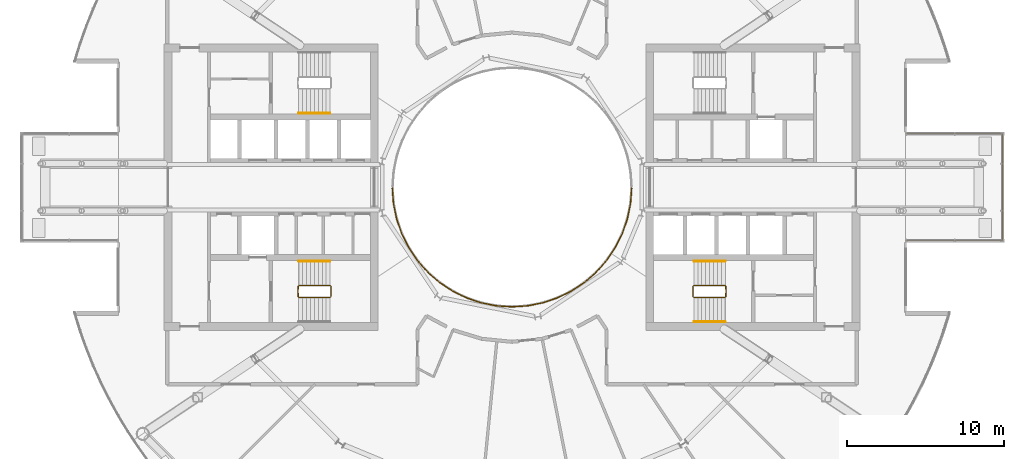
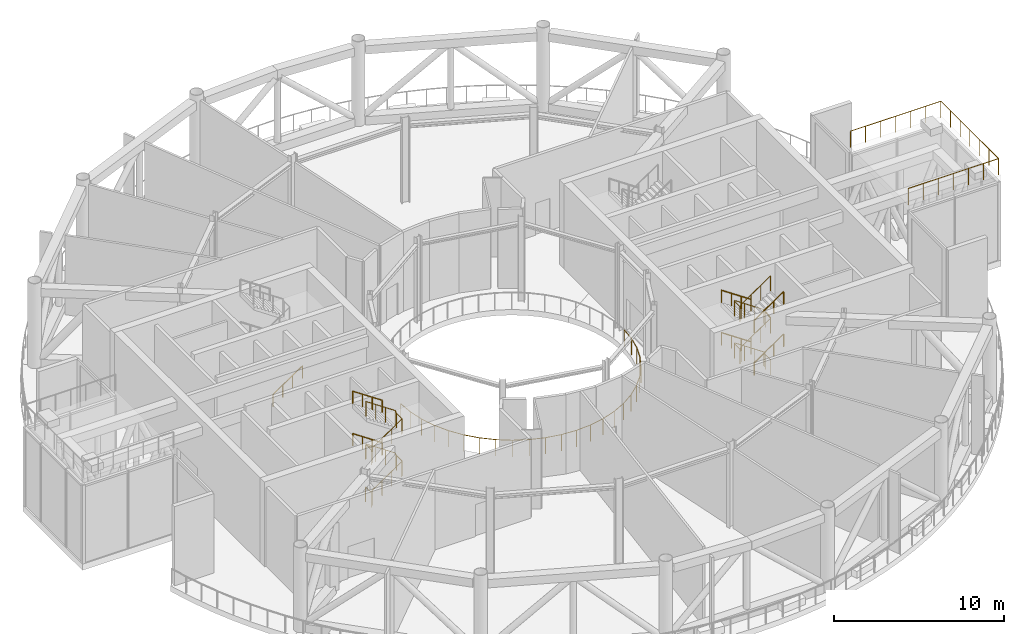
# One storey, part 21 of 24: 11 railings.
"""IFC4 building model written with IfcOpenShell, lengths in metres."""

import ifcopenshell
import ifcopenshell.guid

model = None  # the IFC model being written
_history = None  # IfcOwnerHistory: only IFC2X3 demands one
_inside = {}  # id of a spatial element -> (the spatial element, [elements in it])
_under = {}  # id of a project, library or spatial element -> (it, [spatial elements below it])
_declared = {}  # id of a project -> (the project, [libraries it declares])
_typed = {}  # id of a type object -> (the type object, [elements of that type])
_made_of = {}  # id of a material, layer set ... -> (it, [elements and type objects made of it])


def new_model(schema):
    """Start an empty IFC model of exactly this schema.

    Asked for "IFC4X3", IfcOpenShell would pick the latest addendum, in which some entities
    have other attributes; the version numbers below select the first issue.
    IFC2X3 requires an IfcOwnerHistory on every rooted entity: one is made here for all.
    """
    global model, _history
    if schema == "IFC4X3":
        model = ifcopenshell.file(schema_version=(4, 3, 0, 0))
    else:
        model = ifcopenshell.file(schema=schema)
    _inside.clear()
    _under.clear()
    _declared.clear()
    _typed.clear()
    _made_of.clear()
    _history = None
    if model.schema == "IFC2X3":
        org = make("IfcOrganization", Name="unknown")
        user = make(
            "IfcPersonAndOrganization",
            ThePerson=make("IfcPerson", FamilyName="unknown"),
            TheOrganization=org,
        )
        app = make(
            "IfcApplication",
            ApplicationDeveloper=org,
            Version="unknown",
            ApplicationFullName="unknown",
            ApplicationIdentifier="unknown",
        )
        _history = make(
            "IfcOwnerHistory",
            OwningUser=user,
            OwningApplication=app,
            ChangeAction="ADDED",
            CreationDate=0,
        )
    return model


def make(cls, **values):
    """One entity of the class cls with the attributes given. An attribute that is None is left unset."""
    return model.create_entity(
        cls, **{name: value for name, value in values.items() if value is not None}
    )


def rooted(cls, **values):
    """An entity with a GlobalId (a new one), such as an element, a storey or a relation."""
    return make(cls, GlobalId=ifcopenshell.guid.new(), OwnerHistory=_history, **values)


def si_unit(unit_type, name, prefix=None):
    """IfcSIUnit, for example si_unit("LENGTHUNIT", "METRE", prefix="MILLI")."""
    return make("IfcSIUnit", UnitType=unit_type, Prefix=prefix, Name=name)


def assignment(units):
    """IfcUnitAssignment: the units of a project."""
    return None if units is None else make("IfcUnitAssignment", Units=units)


def point(xyz):
    """IfcCartesianPoint."""
    return None if xyz is None else make("IfcCartesianPoint", Coordinates=xyz)


def direction(xyz):
    """IfcDirection."""
    return None if xyz is None else make("IfcDirection", DirectionRatios=xyz)


def frame(location, z_axis=None, x_axis=None):
    """IfcAxis2Placement3D, a coordinate frame: its origin and axes. An axis left out is left unset."""
    return make(
        "IfcAxis2Placement3D",
        Location=point(location),
        Axis=direction(z_axis),
        RefDirection=direction(x_axis),
    )


def frame_2d(location, x_axis=None):
    """IfcAxis2Placement2D, a coordinate frame in the plane: its origin and x axis."""
    return make(
        "IfcAxis2Placement2D", Location=point(location), RefDirection=direction(x_axis)
    )


def origin():
    """The frame at (0, 0, 0) with its axes left unset."""
    return frame((0.0, 0.0, 0.0))


def origin_2d():
    """The frame at (0, 0) in the plane with its x axis left unset."""
    return frame_2d((0.0, 0.0))


def place(relative_to, where):
    """IfcLocalPlacement: puts the frame where relative to a parent placement (None: the world)."""
    return make(
        "IfcLocalPlacement", PlacementRelTo=relative_to, RelativePlacement=where
    )


def context(
    kind, dimensions, precision=None, world=None, true_north=None, identifier=None
):
    """IfcGeometricRepresentationContext, for example the 3D "Model" context."""
    return make(
        "IfcGeometricRepresentationContext",
        ContextIdentifier=identifier,
        ContextType=kind,
        CoordinateSpaceDimension=dimensions,
        Precision=precision,
        WorldCoordinateSystem=world,
        TrueNorth=true_north,
    )


def subcontext(parent, identifier, kind, view, scale=None):
    """IfcGeometricRepresentationSubContext, for example "Body" below "Model"."""
    return make(
        "IfcGeometricRepresentationSubContext",
        ContextIdentifier=identifier,
        ContextType=kind,
        ParentContext=parent,
        TargetScale=scale,
        TargetView=view,
    )


def project(units=None, contexts=None):
    """IfcProject with its units and contexts."""
    return rooted(
        "IfcProject",
        Name="project",
        RepresentationContexts=contexts,
        UnitsInContext=assignment(units),
    )


def spatial(cls, under=None, at=None, **own):
    """A site, building, storey or space (cls), placed at a placement, below another one or the project."""
    s = rooted(cls, ObjectPlacement=at, **own)
    if under is not None:
        _under.setdefault(under.id(), (under, []))[1].append(s)
    return s


def profile(cls, at=None, kind="AREA", **sizes):
    """A parametric profile (cls). Its sizes go by their IFC names, for example OverallWidth=200.0."""
    return make(cls, ProfileType=kind, Position=at, **sizes)


def circle(**sizes):
    """IfcCircleProfileDef."""
    return profile("IfcCircleProfileDef", **sizes)


def extrude(swept, where, along, depth):
    """IfcExtrudedAreaSolid: the profile swept, set in the frame where, extruded along a direction by depth."""
    return make(
        "IfcExtrudedAreaSolid",
        SweptArea=swept,
        Position=where,
        ExtrudedDirection=direction(along),
        Depth=depth,
    )


def shape(context_of_items, identifier, shape_type, items):
    """IfcShapeRepresentation: the items that make up one representation, for example the "Body"."""
    return make(
        "IfcShapeRepresentation",
        ContextOfItems=context_of_items,
        RepresentationIdentifier=identifier,
        RepresentationType=shape_type,
        Items=items,
    )


def material(Name=None, Category=None):
    """IfcMaterial."""
    return make("IfcMaterial", Name=Name, Category=Category)


def made_of(thing, what):
    """Note that an element or type object is made of a material, layer set ...; save() writes the relation."""
    if what is not None:
        _made_of.setdefault(what.id(), (what, []))[1].append(thing)
    return thing


def type_object(cls, material=None, **own):
    """A type object (cls), such as IfcWallType, which elements share."""
    return made_of(rooted(cls, **own), material)


def element(
    cls,
    number,
    at=None,
    inside=None,
    cuts=None,
    type_object=None,
    material=None,
    context=None,
    identifier="Body",
    shape_type=None,
    held_by="IfcProductDefinitionShape",
    body=None,
    shapes=None,
    **own,
):
    """One element of the class cls, such as IfcWall. Its Tag is "e" and its number.

    at: its placement. inside: the storey or other place that contains it. cuts: it is an
    opening in that element (IfcRelVoidsElement). A single representation is given by context,
    identifier, shape_type and body (its items); several are given by shapes. held_by: the class
    of the entity that holds the representations. save() writes the other relations.
    """
    e = rooted(cls, Tag="e%d" % number, ObjectPlacement=at, **own)
    if body is not None:
        shapes = [shape(context, identifier, shape_type, body)]
    if shapes is not None:
        e.Representation = make(held_by, Representations=shapes)
    if inside is not None:
        _inside.setdefault(inside.id(), (inside, []))[1].append(e)
    if cuts is not None:
        rooted(
            "IfcRelVoidsElement", RelatingBuildingElement=cuts, RelatedOpeningElement=e
        )
    if type_object is not None:
        _typed.setdefault(type_object.id(), (type_object, []))[1].append(e)
    return made_of(e, material)


def aggregate(whole, parts):
    """IfcRelAggregates: a whole, such as a stair, and the parts it consists of."""
    return rooted("IfcRelAggregates", RelatingObject=whole, RelatedObjects=parts)


def save(model, path):
    """Write the relations noted so far, then the file.

    IfcRelAggregates (storeys below a building ...), IfcRelContainedInSpatialStructure (elements
    in a storey), IfcRelDefinesByType, IfcRelAssociatesMaterial and IfcRelDeclares: one each for
    every whole, place, type object, material and project.
    """
    for whole, parts in _under.values():
        aggregate(whole, parts)
    for where, things in _inside.values():
        rooted(
            "IfcRelContainedInSpatialStructure",
            RelatedElements=things,
            RelatingStructure=where,
        )
    for kind, things in _typed.values():
        rooted("IfcRelDefinesByType", RelatedObjects=things, RelatingType=kind)
    for what, things in _made_of.values():
        rooted("IfcRelAssociatesMaterial", RelatedObjects=things, RelatingMaterial=what)
    for by, libraries in _declared.values():
        rooted("IfcRelDeclares", RelatingContext=by, RelatedDefinitions=libraries)
    model.write(path)


model = new_model("IFC4")

# Units and contexts
model_context = context("Model", 3, precision=1e-05, world=origin(), true_north=direction((0.0, 1.0)))
body_context = subcontext(model_context, "Body", "Model", "MODEL_VIEW")
ifc_project = project(units=[si_unit("LENGTHUNIT", "METRE"), si_unit("AREAUNIT", "SQUARE_METRE"), si_unit("VOLUMEUNIT", "CUBIC_METRE"), si_unit("PLANEANGLEUNIT", "RADIAN"), si_unit("MASSUNIT", "GRAM", prefix="KILO")], contexts=[model_context])

# Site, building, storey
site_placement = place(None, origin())
site = spatial("IfcSite", under=ifc_project, at=site_placement, CompositionType="ELEMENT")
building_placement = place(site_placement, origin())
building = spatial("IfcBuilding", under=site, at=building_placement, Name="Maasbend Ring Residences", CompositionType="ELEMENT")
storey_placement = place(building_placement, frame((0.0, 0.0, 179.89990234375)))
storey = spatial("IfcBuildingStorey", under=building, at=storey_placement, Name="L52", CompositionType="ELEMENT", Elevation=179.89990234375)

# Railings
ifc_material_1 = material(Name="Stainless steel 316 and glass", Category="steel")
railing_type_1 = type_object("IfcRailingType", Name="RL-GUARD", PredefinedType="GUARDRAIL", material=ifc_material_1)
railing_1_placement = place(storey_placement, frame((-7.599609375, -0.06640625, 0.0)))
element("IfcRailing", 1, at=railing_1_placement, inside=storey, type_object=railing_type_1, Name="Garden guard well 2", PredefinedType="GUARDRAIL", context=body_context, shape_type="SweptSolid", body=[
    extrude(circle(Radius=0.02490234375, at=origin_2d()), frame((0.0, 0.0, 1.1748046875), z_axis=(0.073598762792, -0.997287933405, 0.0), x_axis=(0.997287933405, 0.073598762792, 0.0)), (0.0, 0.0, 1.0), 0.988525390625),
    extrude(circle(Radius=0.02490234375, at=origin_2d()), frame((0.07275390625, -0.98583984375, 1.1748046875), z_axis=(0.202760766137, -0.979228304184, 0.0), x_axis=(0.979228304184, 0.202760766137, 0.0)), (0.0, 0.0, 1.0), 0.988525390625),
    extrude(circle(Radius=0.02490234375, at=origin_2d()), frame((0.273193359375, -1.953857421875, 1.1748046875), z_axis=(0.327907631853, -0.944709788757, 0.0), x_axis=(0.944709788757, 0.327907631853, 0.0)), (0.0, 0.0, 1.0), 0.98876953125),
    extrude(circle(Radius=0.02490234375, at=origin_2d()), frame((0.597412109375, -2.887939453125, 1.1748046875), z_axis=(0.447806291046, -0.894130597676, 0.0), x_axis=(0.894130597676, 0.447806291046, 0.0)), (0.0, 0.0, 1.0), 0.988525390625),
    extrude(circle(Radius=0.02490234375, at=origin_2d()), frame((1.0400390625, -3.771728515625, 1.1748046875), z_axis=(0.560045259563, -0.828462013155, 0.0), x_axis=(0.828462013155, 0.560045259563, 0.0)), (0.0, 0.0, 1.0), 0.98876953125),
    extrude(circle(Radius=0.02490234375, at=origin_2d()), frame((1.59375, -4.5908203125, 1.1748046875), z_axis=(0.662829611997, -0.748770262137, 0.0), x_axis=(0.748770262137, 0.662829611997, 0.0)), (0.0, 0.0, 1.0), 0.988525390625),
    extrude(circle(Radius=0.02490234375, at=origin_2d()), frame((2.2490234375, -5.3310546875, 1.1748046875), z_axis=(0.754424735376, -0.656386561908, 0.0), x_axis=(0.656386561908, 0.754424735376, 0.0)), (0.0, 0.0, 1.0), 0.988525390625),
    extrude(circle(Radius=0.02490234375, at=origin_2d()), frame((2.994873046875, -5.97998046875, 1.1748046875), z_axis=(0.833415421364, -0.552647026078, 0.0), x_axis=(0.552647026078, 0.833415421364, 0.0)), (0.0, 0.0, 1.0), 0.98876953125),
    extrude(circle(Radius=0.02490234375, at=origin_2d()), frame((3.81884765625, -6.5263671875, 1.1748046875), z_axis=(0.89795516916, -0.440086939341, 0.0), x_axis=(0.440086939341, 0.89795516916, 0.0)), (0.0, 0.0, 1.0), 0.988525390625),
    extrude(circle(Radius=0.02490234375, at=origin_2d()), frame((4.70654296875, -6.96142578125, 1.1748046875), z_axis=(0.947491343753, -0.31978141521, 0.0), x_axis=(0.31978141521, 0.947491343753, 0.0)), (0.0, 0.0, 1.0), 0.98876953125),
    extrude(circle(Radius=0.02490234375, at=origin_2d()), frame((5.643310546875, -7.277587890625, 1.1748046875), z_axis=(0.981024607585, -0.193883262073, 0.0), x_axis=(0.193883262073, 0.981024607585, 0.0)), (0.0, 0.0, 1.0), 0.988525390625),
    extrude(circle(Radius=0.02490234375, at=origin_2d()), frame((6.613037109375, -7.46923828125, 1.1748046875), z_axis=(0.997872778693, -0.06519139163, 0.0), x_axis=(0.06519139163, 0.997872778693, 0.0)), (0.0, 0.0, 1.0), 0.98876953125),
    extrude(circle(Radius=0.02490234375, at=origin_2d()), frame((7.599609375, -7.53369140625, 1.1748046875), z_axis=(0.997872778693, 0.06519139163, 0.0), x_axis=(-0.06519139163, 0.997872778693, 0.0)), (0.0, 0.0, 1.0), 0.98876953125),
    extrude(circle(Radius=0.02490234375, at=origin_2d()), frame((8.586181640625, -7.46923828125, 1.1748046875), z_axis=(0.981024607585, 0.193883262073, 0.0), x_axis=(-0.193883262073, 0.981024607585, 0.0)), (0.0, 0.0, 1.0), 0.988525390625),
    extrude(circle(Radius=0.02490234375, at=origin_2d()), frame((9.555908203125, -7.277587890625, 1.1748046875), z_axis=(0.947491343753, 0.31978141521, 0.0), x_axis=(-0.31978141521, 0.947491343753, 0.0)), (0.0, 0.0, 1.0), 0.98876953125),
    extrude(circle(Radius=0.02490234375, at=origin_2d()), frame((10.49267578125, -6.96142578125, 1.1748046875), z_axis=(0.89795516916, 0.440086939341, 0.0), x_axis=(-0.440086939341, 0.89795516916, 0.0)), (0.0, 0.0, 1.0), 0.988525390625),
    extrude(circle(Radius=0.02490234375, at=origin_2d()), frame((11.38037109375, -6.5263671875, 1.1748046875), z_axis=(0.833415421364, 0.552647026078, 0.0), x_axis=(-0.552647026078, 0.833415421364, 0.0)), (0.0, 0.0, 1.0), 0.98876953125),
    extrude(circle(Radius=0.02490234375, at=origin_2d()), frame((12.204345703125, -5.97998046875, 1.1748046875), z_axis=(0.754424735376, 0.656386561908, 0.0), x_axis=(-0.656386561908, 0.754424735376, 0.0)), (0.0, 0.0, 1.0), 0.988525390625),
    extrude(circle(Radius=0.02490234375, at=origin_2d()), frame((12.9501953125, -5.3310546875, 1.1748046875), z_axis=(0.662829611997, 0.748770262137, 0.0), x_axis=(-0.748770262137, 0.662829611997, 0.0)), (0.0, 0.0, 1.0), 0.988525390625),
    extrude(circle(Radius=0.02490234375, at=origin_2d()), frame((13.60546875, -4.5908203125, 1.1748046875), z_axis=(0.560045259563, 0.828462013155, 0.0), x_axis=(-0.828462013155, 0.560045259563, 0.0)), (0.0, 0.0, 1.0), 0.98876953125),
    extrude(circle(Radius=0.02490234375, at=origin_2d()), frame((14.1591796875, -3.771728515625, 1.1748046875), z_axis=(0.447806291046, 0.894130597676, 0.0), x_axis=(-0.894130597676, 0.447806291046, 0.0)), (0.0, 0.0, 1.0), 0.988525390625),
    extrude(circle(Radius=0.02490234375, at=origin_2d()), frame((14.601806640625, -2.887939453125, 1.1748046875), z_axis=(0.327907631853, 0.944709788757, 0.0), x_axis=(-0.944709788757, 0.327907631853, 0.0)), (0.0, 0.0, 1.0), 0.98876953125),
    extrude(circle(Radius=0.02490234375, at=origin_2d()), frame((14.926025390625, -1.953857421875, 1.1748046875), z_axis=(0.202760766137, 0.979228304184, 0.0), x_axis=(-0.979228304184, 0.202760766137, 0.0)), (0.0, 0.0, 1.0), 0.988525390625),
    extrude(circle(Radius=0.02490234375, at=origin_2d()), frame((15.12646484375, -0.98583984375, 1.1748046875), z_axis=(0.073598762792, 0.997287933405, 0.0), x_axis=(-0.997287933405, 0.073598762792, 0.0)), (0.0, 0.0, 1.0), 0.988525390625),
    extrude(circle(Radius=0.02001953125, at=origin_2d()), origin(), (0.0, 0.0, 1.0), 1.14990234375),
    extrude(circle(Radius=0.02001953125, at=origin_2d()), frame((0.07275390625, -0.98583984375, 0.0)), (0.0, 0.0, 1.0), 1.14990234375),
    extrude(circle(Radius=0.02001953125, at=origin_2d()), frame((0.273193359375, -1.953857421875, 0.0)), (0.0, 0.0, 1.0), 1.14990234375),
    extrude(circle(Radius=0.02001953125, at=origin_2d()), frame((0.597412109375, -2.887939453125, 0.0)), (0.0, 0.0, 1.0), 1.14990234375),
    extrude(circle(Radius=0.02001953125, at=origin_2d()), frame((1.0400390625, -3.771728515625, 0.0)), (0.0, 0.0, 1.0), 1.14990234375),
    extrude(circle(Radius=0.02001953125, at=origin_2d()), frame((1.59375, -4.5908203125, 0.0)), (0.0, 0.0, 1.0), 1.14990234375),
    extrude(circle(Radius=0.02001953125, at=origin_2d()), frame((2.2490234375, -5.3310546875, 0.0)), (0.0, 0.0, 1.0), 1.14990234375),
    extrude(circle(Radius=0.02001953125, at=origin_2d()), frame((2.994873046875, -5.97998046875, 0.0)), (0.0, 0.0, 1.0), 1.14990234375),
    extrude(circle(Radius=0.02001953125, at=origin_2d()), frame((3.81884765625, -6.5263671875, 0.0)), (0.0, 0.0, 1.0), 1.14990234375),
    extrude(circle(Radius=0.02001953125, at=origin_2d()), frame((4.70654296875, -6.96142578125, 0.0)), (0.0, 0.0, 1.0), 1.14990234375),
    extrude(circle(Radius=0.02001953125, at=origin_2d()), frame((5.643310546875, -7.277587890625, 0.0)), (0.0, 0.0, 1.0), 1.14990234375),
    extrude(circle(Radius=0.02001953125, at=origin_2d()), frame((6.613037109375, -7.46923828125, 0.0)), (0.0, 0.0, 1.0), 1.14990234375),
    extrude(circle(Radius=0.02001953125, at=origin_2d()), frame((7.599609375, -7.53369140625, 0.0)), (0.0, 0.0, 1.0), 1.14990234375),
    extrude(circle(Radius=0.02001953125, at=origin_2d()), frame((8.586181640625, -7.46923828125, 0.0)), (0.0, 0.0, 1.0), 1.14990234375),
    extrude(circle(Radius=0.02001953125, at=origin_2d()), frame((9.555908203125, -7.277587890625, 0.0)), (0.0, 0.0, 1.0), 1.14990234375),
    extrude(circle(Radius=0.02001953125, at=origin_2d()), frame((10.49267578125, -6.96142578125, 0.0)), (0.0, 0.0, 1.0), 1.14990234375),
    extrude(circle(Radius=0.02001953125, at=origin_2d()), frame((11.38037109375, -6.5263671875, 0.0)), (0.0, 0.0, 1.0), 1.14990234375),
    extrude(circle(Radius=0.02001953125, at=origin_2d()), frame((12.204345703125, -5.97998046875, 0.0)), (0.0, 0.0, 1.0), 1.14990234375),
    extrude(circle(Radius=0.02001953125, at=origin_2d()), frame((12.9501953125, -5.3310546875, 0.0)), (0.0, 0.0, 1.0), 1.14990234375),
    extrude(circle(Radius=0.02001953125, at=origin_2d()), frame((13.60546875, -4.5908203125, 0.0)), (0.0, 0.0, 1.0), 1.14990234375),
    extrude(circle(Radius=0.02001953125, at=origin_2d()), frame((14.1591796875, -3.771728515625, 0.0)), (0.0, 0.0, 1.0), 1.14990234375),
    extrude(circle(Radius=0.02001953125, at=origin_2d()), frame((14.601806640625, -2.887939453125, 0.0)), (0.0, 0.0, 1.0), 1.14990234375),
    extrude(circle(Radius=0.02001953125, at=origin_2d()), frame((14.926025390625, -1.953857421875, 0.0)), (0.0, 0.0, 1.0), 1.14990234375),
    extrude(circle(Radius=0.02001953125, at=origin_2d()), frame((15.12646484375, -0.98583984375, 0.0)), (0.0, 0.0, 1.0), 1.14990234375),
    extrude(circle(Radius=0.02001953125, at=origin_2d()), frame((15.19921875, 0.0, 0.0)), (0.0, 0.0, 1.0), 1.14990234375),
])
railing_2_placement = place(storey_placement, frame((25.0, -3.39990234375, 6.10009765625)))
element("IfcRailing", 2, at=railing_2_placement, inside=storey, type_object=railing_type_1, Name="Roof terrace guard", PredefinedType="GUARDRAIL", context=body_context, shape_type="SweptSolid", body=[
    extrude(circle(Radius=0.02490234375, at=origin_2d()), frame((0.0, 0.0, 1.1748046875), z_axis=(1.0, 0.0, 0.0), x_axis=(0.0, 1.0, 0.0)), (0.0, 0.0, 1.0), 6.14990234375),
    extrude(circle(Radius=0.02490234375, at=origin_2d()), frame((6.14990234375, 0.0, 1.1748046875), z_axis=(0.0, 1.0, 0.0), x_axis=(-1.0, 0.0, 0.0)), (0.0, 0.0, 1.0), 6.7998046875),
    extrude(circle(Radius=0.02490234375, at=origin_2d()), frame((6.14990234375, 6.7998046875, 1.1748046875), z_axis=(-1.0, 0.0, 0.0), x_axis=(0.0, -1.0, 0.0)), (0.0, 0.0, 1.0), 6.14990234375),
    extrude(circle(Radius=0.02001953125, at=origin_2d()), origin(), (0.0, 0.0, 1.0), 1.14990234375),
    extrude(circle(Radius=0.02001953125, at=origin_2d()), frame((1.02490234375, 0.0, 0.0)), (0.0, 0.0, 1.0), 1.14990234375),
    extrude(circle(Radius=0.02001953125, at=origin_2d()), frame((2.050048828125, 0.0, 0.0)), (0.0, 0.0, 1.0), 1.14990234375),
    extrude(circle(Radius=0.02001953125, at=origin_2d()), frame((3.074951171875, 0.0, 0.0)), (0.0, 0.0, 1.0), 1.14990234375),
    extrude(circle(Radius=0.02001953125, at=origin_2d()), frame((4.099853515625, 0.0, 0.0)), (0.0, 0.0, 1.0), 1.14990234375),
    extrude(circle(Radius=0.02001953125, at=origin_2d()), frame((5.125, 0.0, 0.0)), (0.0, 0.0, 1.0), 1.14990234375),
    extrude(circle(Radius=0.02001953125, at=origin_2d()), frame((6.14990234375, 0.0, 0.0)), (0.0, 0.0, 1.0), 1.14990234375),
    extrude(circle(Radius=0.02001953125, at=origin_2d()), frame((6.14990234375, 1.13330078125, 0.0)), (0.0, 0.0, 1.0), 1.14990234375),
    extrude(circle(Radius=0.02001953125, at=origin_2d()), frame((6.14990234375, 2.2666015625, 0.0)), (0.0, 0.0, 1.0), 1.14990234375),
    extrude(circle(Radius=0.02001953125, at=origin_2d()), frame((6.14990234375, 3.39990234375, 0.0)), (0.0, 0.0, 1.0), 1.14990234375),
    extrude(circle(Radius=0.02001953125, at=origin_2d()), frame((6.14990234375, 4.533203125, 0.0)), (0.0, 0.0, 1.0), 1.14990234375),
    extrude(circle(Radius=0.02001953125, at=origin_2d()), frame((6.14990234375, 5.66650390625, 0.0)), (0.0, 0.0, 1.0), 1.14990234375),
    extrude(circle(Radius=0.02001953125, at=origin_2d()), frame((6.14990234375, 6.7998046875, 0.0)), (0.0, 0.0, 1.0), 1.14990234375),
    extrude(circle(Radius=0.02001953125, at=origin_2d()), frame((5.125, 6.7998046875, 0.0)), (0.0, 0.0, 1.0), 1.14990234375),
    extrude(circle(Radius=0.02001953125, at=origin_2d()), frame((4.099853515625, 6.7998046875, 0.0)), (0.0, 0.0, 1.0), 1.14990234375),
    extrude(circle(Radius=0.02001953125, at=origin_2d()), frame((3.074951171875, 6.7998046875, 0.0)), (0.0, 0.0, 1.0), 1.14990234375),
    extrude(circle(Radius=0.02001953125, at=origin_2d()), frame((2.050048828125, 6.7998046875, 0.0)), (0.0, 0.0, 1.0), 1.14990234375),
    extrude(circle(Radius=0.02001953125, at=origin_2d()), frame((1.02490234375, 6.7998046875, 0.0)), (0.0, 0.0, 1.0), 1.14990234375),
    extrude(circle(Radius=0.02001953125, at=origin_2d()), frame((0.0, 6.7998046875, 0.0)), (0.0, 0.0, 1.0), 1.14990234375),
])
ifc_material_2 = material(Name="Stainless steel 316", Category="steel")
railing_type_2 = type_object("IfcRailingType", Name="STAIR GUARD 1100", PredefinedType="GUARDRAIL", material=ifc_material_2)
railing_3_placement = place(storey_placement, frame((13.60009765625, -6.949951171875, 0.0)))
element("IfcRailing", 3, at=railing_3_placement, inside=storey, type_object=railing_type_2, Name="L52 ST-E2 stair guard 1", PredefinedType="GUARDRAIL", context=body_context, shape_type="SweptSolid", body=[
    extrude(circle(Radius=0.02392578125, at=origin_2d()), frame((0.0, 0.0, 1.076171875), z_axis=(0.0, 1.0, 0.0), x_axis=(-1.0, 0.0, 0.0)), (0.0, 0.0, 1.0), 0.64990234375),
    extrude(circle(Radius=0.02392578125, at=origin_2d()), frame((0.0, 0.64990234375, 1.076171875), z_axis=(-0.272562526181, 0.272562526181, 0.92272386912), x_axis=(-0.707106781187, -0.707106781187, 0.0)), (0.0, 0.0, 1.0), 0.18359375),
    extrude(circle(Radius=0.02392578125, at=origin_2d()), frame((-0.050048828125, 0.699951171875, 1.24560546875), z_axis=(-0.827750655447, 0.0, 0.561096116906), x_axis=(0.0, -1.0, 0.0)), (0.0, 0.0, 1.0), 2.416259765625),
    extrude(circle(Radius=0.02392578125, at=origin_2d()), frame((-2.050048828125, 0.699951171875, 2.60107421875), z_axis=(-0.707106781187, -0.707106781187, 0.0), x_axis=(0.707106781187, -0.707106781187, 0.0)), (0.0, 0.0, 1.0), 0.07080078125),
    extrude(circle(Radius=0.02392578125, at=origin_2d()), frame((-2.10009765625, 0.64990234375, 2.60107421875), z_axis=(0.0, -1.0, 0.0), x_axis=(1.0, 0.0, 0.0)), (0.0, 0.0, 1.0), 0.64990234375),
    extrude(circle(Radius=0.02392578125, at=origin_2d()), frame((-2.10009765625, 0.0, 2.60107421875), z_axis=(0.272562526181, -0.272562526181, 0.92272386912), x_axis=(0.707106781187, 0.707106781187, 0.0)), (0.0, 0.0, 1.0), 0.18359375),
    extrude(circle(Radius=0.02392578125, at=origin_2d()), frame((-2.050048828125, -0.050048828125, 2.7705078125), z_axis=(0.827797584762, 0.0, 0.561026878735), x_axis=(0.0, 1.0, 0.0)), (0.0, 0.0, 1.0), 2.416015625),
    extrude(circle(Radius=0.02392578125, at=origin_2d()), frame((-0.050048828125, -0.050048828125, 4.1259765625), z_axis=(0.071321223157, 0.997453398975, 0.0), x_axis=(-0.997453398975, 0.071321223157, 0.0)), (0.0, 0.0, 1.0), 0.70166015625),
    extrude(circle(Radius=0.02392578125, at=origin_2d()), frame((0.0, 0.64990234375, 4.1259765625), z_axis=(0.0, -1.0, 0.0), x_axis=(1.0, 0.0, 0.0)), (0.0, 0.0, 1.0), 0.64990234375),
    extrude(circle(Radius=0.02392578125, at=origin_2d()), frame((0.0, 0.0, 4.1259765625), z_axis=(-0.069328998915, 0.969591414091, 0.234704025594), x_axis=(-0.997453398975, -0.071321223157, 0.0)), (0.0, 0.0, 1.0), 0.721923828125),
    extrude(circle(Radius=0.02392578125, at=origin_2d()), frame((-0.050048828125, 0.699951171875, 4.29541015625), z_axis=(-0.827750655447, 0.0, 0.561096116906), x_axis=(0.0, -1.0, 0.0)), (0.0, 0.0, 1.0), 2.416259765625),
    extrude(circle(Radius=0.02392578125, at=origin_2d()), frame((-2.050048828125, 0.699951171875, 5.6513671875), z_axis=(-0.707106781187, -0.707106781187, 0.0), x_axis=(0.707106781187, -0.707106781187, 0.0)), (0.0, 0.0, 1.0), 0.07080078125),
    extrude(circle(Radius=0.02392578125, at=origin_2d()), frame((-2.10009765625, 0.64990234375, 5.6513671875), z_axis=(0.0, -1.0, 0.0), x_axis=(1.0, 0.0, 0.0)), (0.0, 0.0, 1.0), 0.64990234375),
    extrude(circle(Radius=0.02392578125, at=origin_2d()), frame((-2.10009765625, 0.0, 5.6513671875), z_axis=(0.272562526181, -0.272562526181, 0.92272386912), x_axis=(0.707106781187, 0.707106781187, 0.0)), (0.0, 0.0, 1.0), 0.18359375),
    extrude(circle(Radius=0.02392578125, at=origin_2d()), frame((-2.050048828125, -0.050048828125, 5.82080078125), z_axis=(0.827797584762, 0.0, 0.561026878735), x_axis=(0.0, 1.0, 0.0)), (0.0, 0.0, 1.0), 2.416015625),
    extrude(circle(Radius=0.02099609375, at=origin_2d()), origin(), (0.0, 0.0, 1.0), 1.052001953125),
    extrude(circle(Radius=0.02099609375, at=origin_2d()), frame((0.0, 0.64990234375, 0.0)), (0.0, 0.0, 1.0), 1.052001953125),
    extrude(circle(Radius=0.02099609375, at=origin_2d()), frame((-0.050048828125, 0.699951171875, 0.16943359375)), (0.0, 0.0, 1.0), 1.052001953125),
    extrude(circle(Radius=0.02099609375, at=origin_2d()), frame((-0.716796875, 0.699951171875, 0.621337890625)), (0.0, 0.0, 1.0), 1.052001953125),
    extrude(circle(Radius=0.02099609375, at=origin_2d()), frame((-1.38330078125, 0.699951171875, 1.0732421875)), (0.0, 0.0, 1.0), 1.052001953125),
    extrude(circle(Radius=0.02099609375, at=origin_2d()), frame((-2.050048828125, 0.699951171875, 1.525146484375)), (0.0, 0.0, 1.0), 1.052001953125),
    extrude(circle(Radius=0.02099609375, at=origin_2d()), frame((-2.10009765625, 0.64990234375, 1.525146484375)), (0.0, 0.0, 1.0), 1.052001953125),
    extrude(circle(Radius=0.02099609375, at=origin_2d()), frame((-2.10009765625, 0.0, 1.525146484375)), (0.0, 0.0, 1.0), 1.052001953125),
    extrude(circle(Radius=0.02099609375, at=origin_2d()), frame((-2.050048828125, -0.050048828125, 1.694580078125)), (0.0, 0.0, 1.0), 1.052001953125),
    extrude(circle(Radius=0.02099609375, at=origin_2d()), frame((-1.38330078125, -0.050048828125, 2.146484375)), (0.0, 0.0, 1.0), 1.052001953125),
    extrude(circle(Radius=0.02099609375, at=origin_2d()), frame((-0.716796875, -0.050048828125, 2.59814453125)), (0.0, 0.0, 1.0), 1.052001953125),
    extrude(circle(Radius=0.02099609375, at=origin_2d()), frame((-0.050048828125, -0.050048828125, 3.050048828125)), (0.0, 0.0, 1.0), 1.052001953125),
    extrude(circle(Radius=0.02099609375, at=origin_2d()), frame((0.0, 0.64990234375, 3.050048828125)), (0.0, 0.0, 1.0), 1.052001953125),
    extrude(circle(Radius=0.02099609375, at=origin_2d()), frame((0.0, 0.0, 3.050048828125)), (0.0, 0.0, 1.0), 1.052001953125),
    extrude(circle(Radius=0.02099609375, at=origin_2d()), frame((-0.050048828125, 0.699951171875, 3.219482421875)), (0.0, 0.0, 1.0), 1.052001953125),
    extrude(circle(Radius=0.02099609375, at=origin_2d()), frame((-0.716796875, 0.699951171875, 3.67138671875)), (0.0, 0.0, 1.0), 1.052001953125),
    extrude(circle(Radius=0.02099609375, at=origin_2d()), frame((-1.38330078125, 0.699951171875, 4.123291015625)), (0.0, 0.0, 1.0), 1.052001953125),
    extrude(circle(Radius=0.02099609375, at=origin_2d()), frame((-2.050048828125, 0.699951171875, 4.5751953125)), (0.0, 0.0, 1.0), 1.052001953125),
    extrude(circle(Radius=0.02099609375, at=origin_2d()), frame((-2.10009765625, 0.64990234375, 4.5751953125)), (0.0, 0.0, 1.0), 1.052001953125),
    extrude(circle(Radius=0.02099609375, at=origin_2d()), frame((-2.10009765625, 0.0, 4.5751953125)), (0.0, 0.0, 1.0), 1.052001953125),
    extrude(circle(Radius=0.02099609375, at=origin_2d()), frame((-2.050048828125, -0.050048828125, 4.74462890625)), (0.0, 0.0, 1.0), 1.052001953125),
    extrude(circle(Radius=0.02099609375, at=origin_2d()), frame((-1.38330078125, -0.050048828125, 5.196533203125)), (0.0, 0.0, 1.0), 1.052001953125),
    extrude(circle(Radius=0.02099609375, at=origin_2d()), frame((-0.716796875, -0.050048828125, 5.648193359375)), (0.0, 0.0, 1.0), 1.052001953125),
    extrude(circle(Radius=0.02099609375, at=origin_2d()), frame((-0.050048828125, -0.050048828125, 6.10009765625)), (0.0, 0.0, 1.0), 1.052001953125),
])
railing_4_placement = place(storey_placement, frame((-13.60009765625, -6.300048828125, 0.0)))
element("IfcRailing", 4, at=railing_4_placement, inside=storey, type_object=railing_type_2, Name="L52 ST-W1 stair guard 1", PredefinedType="GUARDRAIL", context=body_context, shape_type="SweptSolid", body=[
    extrude(circle(Radius=0.02392578125, at=origin_2d()), frame((0.0, 0.0, 1.076171875), z_axis=(0.0, -1.0, 0.0), x_axis=(1.0, 0.0, 0.0)), (0.0, 0.0, 1.0), 0.64990234375),
    extrude(circle(Radius=0.02392578125, at=origin_2d()), frame((0.0, -0.64990234375, 1.076171875), z_axis=(0.272562526181, -0.272562526181, 0.92272386912), x_axis=(0.707106781187, 0.707106781187, 0.0)), (0.0, 0.0, 1.0), 0.18359375),
    extrude(circle(Radius=0.02392578125, at=origin_2d()), frame((0.050048828125, -0.699951171875, 1.24560546875), z_axis=(0.827750655447, 0.0, 0.561096116906), x_axis=(0.0, 1.0, 0.0)), (0.0, 0.0, 1.0), 2.416259765625),
    extrude(circle(Radius=0.02392578125, at=origin_2d()), frame((2.050048828125, -0.699951171875, 2.60107421875), z_axis=(0.707106781187, 0.707106781187, 0.0), x_axis=(-0.707106781187, 0.707106781187, 0.0)), (0.0, 0.0, 1.0), 0.07080078125),
    extrude(circle(Radius=0.02392578125, at=origin_2d()), frame((2.10009765625, -0.64990234375, 2.60107421875), z_axis=(0.0, 1.0, 0.0), x_axis=(-1.0, 0.0, 0.0)), (0.0, 0.0, 1.0), 0.64990234375),
    extrude(circle(Radius=0.02392578125, at=origin_2d()), frame((2.10009765625, 0.0, 2.60107421875), z_axis=(-0.272562526181, 0.272562526181, 0.92272386912), x_axis=(-0.707106781187, -0.707106781187, 0.0)), (0.0, 0.0, 1.0), 0.18359375),
    extrude(circle(Radius=0.02392578125, at=origin_2d()), frame((2.050048828125, 0.050048828125, 2.7705078125), z_axis=(-0.827797584762, 0.0, 0.561026878735), x_axis=(0.0, -1.0, 0.0)), (0.0, 0.0, 1.0), 2.416015625),
    extrude(circle(Radius=0.02392578125, at=origin_2d()), frame((0.050048828125, 0.050048828125, 4.1259765625), z_axis=(-0.071321223157, -0.997453398975, 0.0), x_axis=(0.997453398975, -0.071321223157, 0.0)), (0.0, 0.0, 1.0), 0.70166015625),
    extrude(circle(Radius=0.02392578125, at=origin_2d()), frame((0.0, -0.64990234375, 4.1259765625), z_axis=(0.0, 1.0, 0.0), x_axis=(-1.0, 0.0, 0.0)), (0.0, 0.0, 1.0), 0.64990234375),
    extrude(circle(Radius=0.02392578125, at=origin_2d()), frame((0.0, 0.0, 4.1259765625), z_axis=(0.069328998915, -0.969591414091, 0.234704025594), x_axis=(0.997453398975, 0.071321223157, 0.0)), (0.0, 0.0, 1.0), 0.721923828125),
    extrude(circle(Radius=0.02392578125, at=origin_2d()), frame((0.050048828125, -0.699951171875, 4.29541015625), z_axis=(0.827750655447, 0.0, 0.561096116906), x_axis=(0.0, 1.0, 0.0)), (0.0, 0.0, 1.0), 2.416259765625),
    extrude(circle(Radius=0.02392578125, at=origin_2d()), frame((2.050048828125, -0.699951171875, 5.6513671875), z_axis=(0.707106781187, 0.707106781187, 0.0), x_axis=(-0.707106781187, 0.707106781187, 0.0)), (0.0, 0.0, 1.0), 0.07080078125),
    extrude(circle(Radius=0.02392578125, at=origin_2d()), frame((2.10009765625, -0.64990234375, 5.6513671875), z_axis=(0.0, 1.0, 0.0), x_axis=(-1.0, 0.0, 0.0)), (0.0, 0.0, 1.0), 0.64990234375),
    extrude(circle(Radius=0.02392578125, at=origin_2d()), frame((2.10009765625, 0.0, 5.6513671875), z_axis=(-0.272562526181, 0.272562526181, 0.92272386912), x_axis=(-0.707106781187, -0.707106781187, 0.0)), (0.0, 0.0, 1.0), 0.18359375),
    extrude(circle(Radius=0.02392578125, at=origin_2d()), frame((2.050048828125, 0.050048828125, 5.82080078125), z_axis=(-0.827797584762, 0.0, 0.561026878735), x_axis=(0.0, -1.0, 0.0)), (0.0, 0.0, 1.0), 2.416015625),
    extrude(circle(Radius=0.02099609375, at=origin_2d()), origin(), (0.0, 0.0, 1.0), 1.052001953125),
    extrude(circle(Radius=0.02099609375, at=origin_2d()), frame((0.0, -0.64990234375, 0.0)), (0.0, 0.0, 1.0), 1.052001953125),
    extrude(circle(Radius=0.02099609375, at=origin_2d()), frame((0.050048828125, -0.699951171875, 0.16943359375)), (0.0, 0.0, 1.0), 1.052001953125),
    extrude(circle(Radius=0.02099609375, at=origin_2d()), frame((0.716796875, -0.699951171875, 0.621337890625)), (0.0, 0.0, 1.0), 1.052001953125),
    extrude(circle(Radius=0.02099609375, at=origin_2d()), frame((1.38330078125, -0.699951171875, 1.0732421875)), (0.0, 0.0, 1.0), 1.052001953125),
    extrude(circle(Radius=0.02099609375, at=origin_2d()), frame((2.050048828125, -0.699951171875, 1.525146484375)), (0.0, 0.0, 1.0), 1.052001953125),
    extrude(circle(Radius=0.02099609375, at=origin_2d()), frame((2.10009765625, -0.64990234375, 1.525146484375)), (0.0, 0.0, 1.0), 1.052001953125),
    extrude(circle(Radius=0.02099609375, at=origin_2d()), frame((2.10009765625, 0.0, 1.525146484375)), (0.0, 0.0, 1.0), 1.052001953125),
    extrude(circle(Radius=0.02099609375, at=origin_2d()), frame((2.050048828125, 0.050048828125, 1.694580078125)), (0.0, 0.0, 1.0), 1.052001953125),
    extrude(circle(Radius=0.02099609375, at=origin_2d()), frame((1.38330078125, 0.050048828125, 2.146484375)), (0.0, 0.0, 1.0), 1.052001953125),
    extrude(circle(Radius=0.02099609375, at=origin_2d()), frame((0.716796875, 0.050048828125, 2.59814453125)), (0.0, 0.0, 1.0), 1.052001953125),
    extrude(circle(Radius=0.02099609375, at=origin_2d()), frame((0.050048828125, 0.050048828125, 3.050048828125)), (0.0, 0.0, 1.0), 1.052001953125),
    extrude(circle(Radius=0.02099609375, at=origin_2d()), frame((0.0, -0.64990234375, 3.050048828125)), (0.0, 0.0, 1.0), 1.052001953125),
    extrude(circle(Radius=0.02099609375, at=origin_2d()), frame((0.0, 0.0, 3.050048828125)), (0.0, 0.0, 1.0), 1.052001953125),
    extrude(circle(Radius=0.02099609375, at=origin_2d()), frame((0.050048828125, -0.699951171875, 3.219482421875)), (0.0, 0.0, 1.0), 1.052001953125),
    extrude(circle(Radius=0.02099609375, at=origin_2d()), frame((0.716796875, -0.699951171875, 3.67138671875)), (0.0, 0.0, 1.0), 1.052001953125),
    extrude(circle(Radius=0.02099609375, at=origin_2d()), frame((1.38330078125, -0.699951171875, 4.123291015625)), (0.0, 0.0, 1.0), 1.052001953125),
    extrude(circle(Radius=0.02099609375, at=origin_2d()), frame((2.050048828125, -0.699951171875, 4.5751953125)), (0.0, 0.0, 1.0), 1.052001953125),
    extrude(circle(Radius=0.02099609375, at=origin_2d()), frame((2.10009765625, -0.64990234375, 4.5751953125)), (0.0, 0.0, 1.0), 1.052001953125),
    extrude(circle(Radius=0.02099609375, at=origin_2d()), frame((2.10009765625, 0.0, 4.5751953125)), (0.0, 0.0, 1.0), 1.052001953125),
    extrude(circle(Radius=0.02099609375, at=origin_2d()), frame((2.050048828125, 0.050048828125, 4.74462890625)), (0.0, 0.0, 1.0), 1.052001953125),
    extrude(circle(Radius=0.02099609375, at=origin_2d()), frame((1.38330078125, 0.050048828125, 5.196533203125)), (0.0, 0.0, 1.0), 1.052001953125),
    extrude(circle(Radius=0.02099609375, at=origin_2d()), frame((0.716796875, 0.050048828125, 5.648193359375)), (0.0, 0.0, 1.0), 1.052001953125),
    extrude(circle(Radius=0.02099609375, at=origin_2d()), frame((0.050048828125, 0.050048828125, 6.10009765625)), (0.0, 0.0, 1.0), 1.052001953125),
])
ifc_material_3 = material(Name="Stainless steel 316", Category="steel")
railing_type_3 = type_object("IfcRailingType", Name="STAIR HANDRAIL 900", PredefinedType="HANDRAIL", material=ifc_material_3)
railing_5_placement = place(storey_placement, frame((13.550048828125, -4.699951171875, 0.16943359375)))
element("IfcRailing", 5, at=railing_5_placement, inside=storey, type_object=railing_type_3, Name="L52 ST-E2 stair handrail 1", PredefinedType="HANDRAIL", context=body_context, shape_type="SweptSolid", body=[
    extrude(circle(Radius=0.02392578125, at=origin_2d()), frame((0.0, 0.0, 0.8759765625), z_axis=(-0.827750655447, 0.0, 0.561096116906), x_axis=(0.0, -1.0, 0.0)), (0.0, 0.0, 1.0), 2.416259765625),
    extrude(circle(Radius=0.02099609375, at=origin_2d()), origin(), (0.0, 0.0, 1.0), 0.851806640625),
    extrude(circle(Radius=0.02099609375, at=origin_2d()), frame((-0.666748046875, 0.0, 0.451904296875)), (0.0, 0.0, 1.0), 0.851806640625),
    extrude(circle(Radius=0.02099609375, at=origin_2d()), frame((-1.333251953125, 0.0, 0.90380859375)), (0.0, 0.0, 1.0), 0.851806640625),
    extrude(circle(Radius=0.02099609375, at=origin_2d()), frame((-2.0, 0.0, 1.355712890625)), (0.0, 0.0, 1.0), 0.851806640625),
])
railing_6_placement = place(storey_placement, frame((11.550048828125, -8.550048828125, 1.694580078125)))
element("IfcRailing", 6, at=railing_6_placement, inside=storey, type_object=railing_type_3, Name="L52 ST-E2 stair handrail 2", PredefinedType="HANDRAIL", context=body_context, shape_type="SweptSolid", body=[
    extrude(circle(Radius=0.02392578125, at=origin_2d()), frame((0.0, 0.0, 0.8759765625), z_axis=(0.827797584762, 0.0, 0.561026878735), x_axis=(0.0, 1.0, 0.0)), (0.0, 0.0, 1.0), 2.416015625),
    extrude(circle(Radius=0.02099609375, at=origin_2d()), origin(), (0.0, 0.0, 1.0), 0.851806640625),
    extrude(circle(Radius=0.02099609375, at=origin_2d()), frame((0.666748046875, 0.0, 0.451904296875)), (0.0, 0.0, 1.0), 0.851806640625),
    extrude(circle(Radius=0.02099609375, at=origin_2d()), frame((1.333251953125, 0.0, 0.903564453125)), (0.0, 0.0, 1.0), 0.851806640625),
    extrude(circle(Radius=0.02099609375, at=origin_2d()), frame((2.0, 0.0, 1.35546875)), (0.0, 0.0, 1.0), 0.851806640625),
])
railing_7_placement = place(storey_placement, frame((13.550048828125, -4.699951171875, 3.219482421875)))
element("IfcRailing", 7, at=railing_7_placement, inside=storey, type_object=railing_type_3, Name="L52 ST-E2 stair handrail 3", PredefinedType="HANDRAIL", context=body_context, shape_type="SweptSolid", body=[
    extrude(circle(Radius=0.02392578125, at=origin_2d()), frame((0.0, 0.0, 0.8759765625), z_axis=(-0.827750655447, 0.0, 0.561096116906), x_axis=(0.0, -1.0, 0.0)), (0.0, 0.0, 1.0), 2.416259765625),
    extrude(circle(Radius=0.02099609375, at=origin_2d()), origin(), (0.0, 0.0, 1.0), 0.851806640625),
    extrude(circle(Radius=0.02099609375, at=origin_2d()), frame((-0.666748046875, 0.0, 0.451904296875)), (0.0, 0.0, 1.0), 0.851806640625),
    extrude(circle(Radius=0.02099609375, at=origin_2d()), frame((-1.333251953125, 0.0, 0.90380859375)), (0.0, 0.0, 1.0), 0.851806640625),
    extrude(circle(Radius=0.02099609375, at=origin_2d()), frame((-2.0, 0.0, 1.355712890625)), (0.0, 0.0, 1.0), 0.851806640625),
])
railing_8_placement = place(storey_placement, frame((11.550048828125, -8.550048828125, 4.74462890625)))
element("IfcRailing", 8, at=railing_8_placement, inside=storey, type_object=railing_type_3, Name="L52 ST-E2 stair handrail 4", PredefinedType="HANDRAIL", context=body_context, shape_type="SweptSolid", body=[
    extrude(circle(Radius=0.02392578125, at=origin_2d()), frame((0.0, 0.0, 0.8759765625), z_axis=(0.827797584762, 0.0, 0.561026878735), x_axis=(0.0, 1.0, 0.0)), (0.0, 0.0, 1.0), 2.416015625),
    extrude(circle(Radius=0.02099609375, at=origin_2d()), origin(), (0.0, 0.0, 1.0), 0.851806640625),
    extrude(circle(Radius=0.02099609375, at=origin_2d()), frame((0.666748046875, 0.0, 0.451904296875)), (0.0, 0.0, 1.0), 0.851806640625),
    extrude(circle(Radius=0.02099609375, at=origin_2d()), frame((1.333251953125, 0.0, 0.903564453125)), (0.0, 0.0, 1.0), 0.851806640625),
    extrude(circle(Radius=0.02099609375, at=origin_2d()), frame((2.0, 0.0, 1.35546875)), (0.0, 0.0, 1.0), 0.851806640625),
])
for number, where, name in (
    (9, (-11.550048828125, -4.699951171875, 1.694580078125), "L52 ST-W1 stair handrail 2"),
    (10, (-11.550048828125, -4.699951171875, 4.74462890625), "L52 ST-W1 stair handrail 4"),
):
    element("IfcRailing", number, at=place(storey_placement, frame(where)), inside=storey, type_object=railing_type_3, Name=name, PredefinedType="HANDRAIL", context=body_context, shape_type="SweptSolid", body=[
        extrude(circle(Radius=0.02392578125, at=origin_2d()), frame((0.0, 0.0, 0.8759765625), z_axis=(-0.827797584762, 0.0, 0.561026878735), x_axis=(0.0, -1.0, 0.0)), (0.0, 0.0, 1.0), 2.416015625),
        extrude(circle(Radius=0.02099609375, at=origin_2d()), origin(), (0.0, 0.0, 1.0), 0.851806640625),
        extrude(circle(Radius=0.02099609375, at=origin_2d()), frame((-0.666748046875, 0.0, 0.451904296875)), (0.0, 0.0, 1.0), 0.851806640625),
        extrude(circle(Radius=0.02099609375, at=origin_2d()), frame((-1.333251953125, 0.0, 0.903564453125)), (0.0, 0.0, 1.0), 0.851806640625),
        extrude(circle(Radius=0.02099609375, at=origin_2d()), frame((-2.0, 0.0, 1.35546875)), (0.0, 0.0, 1.0), 0.851806640625),
    ])
railing_9_placement = place(storey_placement, frame((-13.550048828125, 4.699951171875, 0.16943359375)))
element("IfcRailing", 11, at=railing_9_placement, inside=storey, type_object=railing_type_3, Name="L52 ST-W2 stair handrail 1", PredefinedType="HANDRAIL", context=body_context, shape_type="SweptSolid", body=[
    extrude(circle(Radius=0.02392578125, at=origin_2d()), frame((0.0, 0.0, 0.8759765625), z_axis=(0.827750655447, 0.0, 0.561096116906), x_axis=(0.0, 1.0, 0.0)), (0.0, 0.0, 1.0), 2.416259765625),
    extrude(circle(Radius=0.02099609375, at=origin_2d()), origin(), (0.0, 0.0, 1.0), 0.851806640625),
    extrude(circle(Radius=0.02099609375, at=origin_2d()), frame((0.666748046875, 0.0, 0.451904296875)), (0.0, 0.0, 1.0), 0.851806640625),
    extrude(circle(Radius=0.02099609375, at=origin_2d()), frame((1.333251953125, 0.0, 0.90380859375)), (0.0, 0.0, 1.0), 0.851806640625),
    extrude(circle(Radius=0.02099609375, at=origin_2d()), frame((2.0, 0.0, 1.355712890625)), (0.0, 0.0, 1.0), 0.851806640625),
])

save(model, "model.ifc")
